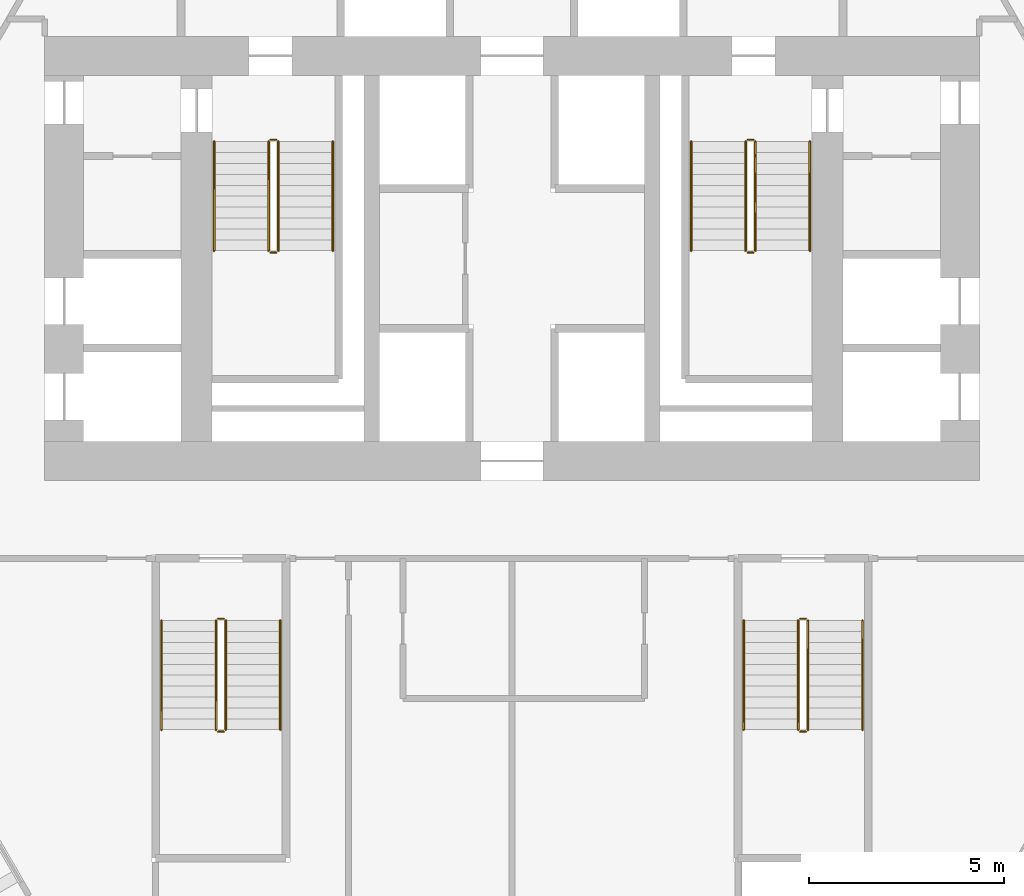
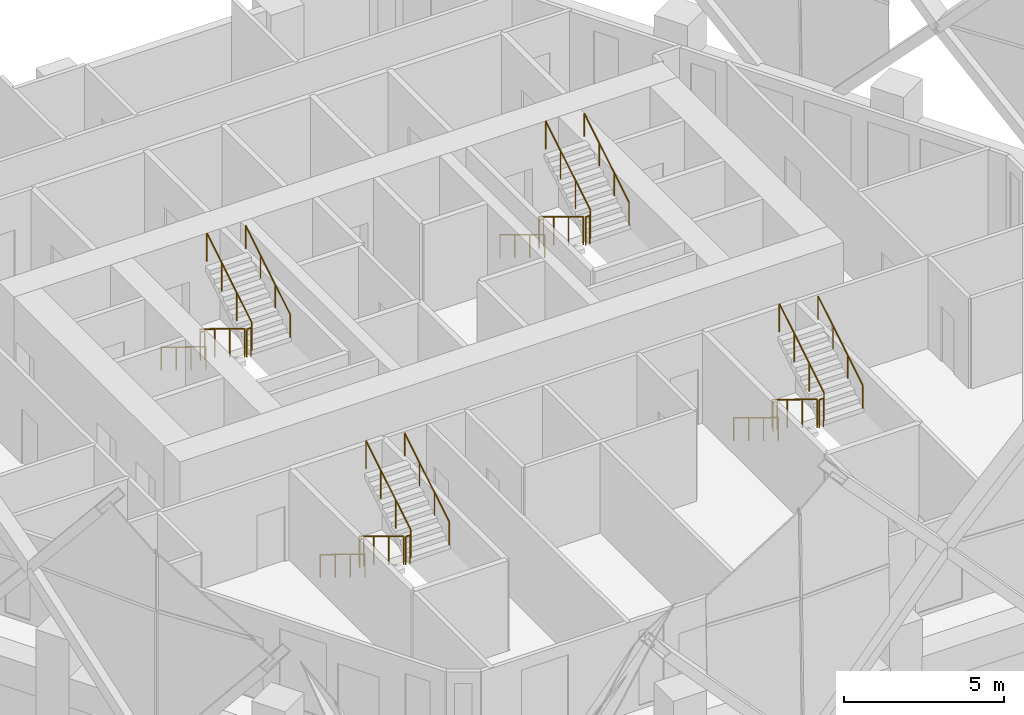
# One storey, part 21 of 21: 24 railings.
"""IFC4 building model written with IfcOpenShell, lengths in metres."""

from ifc_helpers import new_model, si_unit, direction, frame, origin, origin_2d, place, context, subcontext, project, spatial, circle, extrude, material, type_object, element, save


model = new_model("IFC4")

# Units and contexts
model_context = context("Model", 3, precision=1e-05, world=origin(), true_north=direction((0.0, 1.0)))
body_context = subcontext(model_context, "Body", "Model", "MODEL_VIEW")
ifc_project = project(units=[si_unit("LENGTHUNIT", "METRE"), si_unit("AREAUNIT", "SQUARE_METRE"), si_unit("VOLUMEUNIT", "CUBIC_METRE"), si_unit("PLANEANGLEUNIT", "RADIAN"), si_unit("MASSUNIT", "GRAM", prefix="KILO")], contexts=[model_context])

# Site, building, storey
site_placement = place(None, origin())
site = spatial("IfcSite", under=ifc_project, at=site_placement, CompositionType="ELEMENT")
building_placement = place(site_placement, origin())
building = spatial("IfcBuilding", under=site, at=building_placement, Name="Ostrander Bayou Hotel Tower", CompositionType="ELEMENT")
storey_placement = place(building_placement, frame((0.0, 0.0, 116.0)))
storey = spatial("IfcBuildingStorey", under=building, at=storey_placement, Name="L28", CompositionType="ELEMENT", Elevation=116.0)

# Railings
ifc_material_1 = material(Name="Steel ASTM A500 Gr C", Category="steel")
railing_type_1 = type_object("IfcRailingType", Name="GR1 stair guard 1100 mm steel", PredefinedType="GUARDRAIL", material=ifc_material_1)
railing_1_placement = place(storey_placement, frame((-6.25, 7.0, 0.17041015625)))
element("IfcRailing", 1, at=railing_1_placement, inside=storey, type_object=railing_type_1, Name="L28 STA stair guard 1", PredefinedType="GUARDRAIL", context=body_context, shape_type="SweptSolid", body=[
    extrude(circle(Radius=0.02392578125, at=origin_2d()), frame((0.0, 0.0, 1.076171875), z_axis=(0.0, -0.854169791009, 0.51999420009), x_axis=(1.0, 0.0, 0.0)), (0.0, 0.0, 1.0), 3.278076171875),
    extrude(circle(Radius=0.02099609375, at=origin_2d()), origin(), (0.0, 0.0, 1.0), 1.052001953125),
    extrude(circle(Radius=0.02099609375, at=origin_2d()), frame((0.0, -0.933349609375, 0.568115234375)), (0.0, 0.0, 1.0), 1.052001953125),
    extrude(circle(Radius=0.02099609375, at=origin_2d()), frame((0.0, -1.86669921875, 1.136474609375)), (0.0, 0.0, 1.0), 1.052001953125),
    extrude(circle(Radius=0.02099609375, at=origin_2d()), frame((0.0, -2.800048828125, 1.70458984375)), (0.0, 0.0, 1.0), 1.052001953125),
])
railing_2_placement = place(storey_placement, frame((-6.199951171875, 4.14990234375, 1.875)))
element("IfcRailing", 2, at=railing_2_placement, inside=storey, type_object=railing_type_1, Name="L28 STA stair guard 2", PredefinedType="GUARDRAIL", context=body_context, shape_type="SweptSolid", body=[
    extrude(circle(Radius=0.02392578125, at=origin_2d()), frame((0.0, 0.0, 1.076171875), z_axis=(1.0, 0.0, 0.0), x_axis=(0.0, 1.0, 0.0)), (0.0, 0.0, 1.0), 0.14990234375),
    extrude(circle(Radius=0.02099609375, at=origin_2d()), origin(), (0.0, 0.0, 1.0), 1.052001953125),
    extrude(circle(Radius=0.02099609375, at=origin_2d()), frame((0.14990234375, 0.0, 0.0)), (0.0, 0.0, 1.0), 1.052001953125),
])
railing_3_placement = place(storey_placement, frame((-6.0, 4.199951171875, 2.04541015625)))
element("IfcRailing", 3, at=railing_3_placement, inside=storey, type_object=railing_type_1, Name="L28 STA stair guard 3", PredefinedType="GUARDRAIL", context=body_context, shape_type="SweptSolid", body=[
    extrude(circle(Radius=0.02392578125, at=origin_2d()), frame((0.0, 0.0, 1.076171875), z_axis=(0.0, 0.854169791009, 0.51999420009), x_axis=(-1.0, 0.0, 0.0)), (0.0, 0.0, 1.0), 3.278076171875),
    extrude(circle(Radius=0.02099609375, at=origin_2d()), origin(), (0.0, 0.0, 1.0), 1.052001953125),
    extrude(circle(Radius=0.02099609375, at=origin_2d()), frame((0.0, 0.933349609375, 0.568115234375)), (0.0, 0.0, 1.0), 1.052001953125),
    extrude(circle(Radius=0.02099609375, at=origin_2d()), frame((0.0, 1.86669921875, 1.136474609375)), (0.0, 0.0, 1.0), 1.052001953125),
    extrude(circle(Radius=0.02099609375, at=origin_2d()), frame((0.0, 2.800048828125, 1.70458984375)), (0.0, 0.0, 1.0), 1.052001953125),
])
railing_4_placement = place(storey_placement, frame((-6.199951171875, 7.050048828125, 0.0)))
element("IfcRailing", 4, at=railing_4_placement, inside=storey, type_object=railing_type_1, Name="L28 STA stair guard 4", PredefinedType="GUARDRAIL", context=body_context, shape_type="SweptSolid", body=[
    extrude(circle(Radius=0.02392578125, at=origin_2d()), frame((0.0, 0.0, 1.076171875), z_axis=(1.0, 0.0, 0.0), x_axis=(0.0, 1.0, 0.0)), (0.0, 0.0, 1.0), 0.14990234375),
    extrude(circle(Radius=0.02099609375, at=origin_2d()), origin(), (0.0, 0.0, 1.0), 1.052001953125),
    extrude(circle(Radius=0.02099609375, at=origin_2d()), frame((0.14990234375, 0.0, 0.0)), (0.0, 0.0, 1.0), 1.052001953125),
])
railing_5_placement = place(storey_placement, frame((6.0, 7.0, 0.17041015625)))
element("IfcRailing", 5, at=railing_5_placement, inside=storey, type_object=railing_type_1, Name="L28 STB stair guard 1", PredefinedType="GUARDRAIL", context=body_context, shape_type="SweptSolid", body=[
    extrude(circle(Radius=0.02392578125, at=origin_2d()), frame((0.0, 0.0, 1.076171875), z_axis=(0.0, -0.854169791009, 0.51999420009), x_axis=(1.0, 0.0, 0.0)), (0.0, 0.0, 1.0), 3.278076171875),
    extrude(circle(Radius=0.02099609375, at=origin_2d()), origin(), (0.0, 0.0, 1.0), 1.052001953125),
    extrude(circle(Radius=0.02099609375, at=origin_2d()), frame((0.0, -0.933349609375, 0.568115234375)), (0.0, 0.0, 1.0), 1.052001953125),
    extrude(circle(Radius=0.02099609375, at=origin_2d()), frame((0.0, -1.86669921875, 1.136474609375)), (0.0, 0.0, 1.0), 1.052001953125),
    extrude(circle(Radius=0.02099609375, at=origin_2d()), frame((0.0, -2.800048828125, 1.70458984375)), (0.0, 0.0, 1.0), 1.052001953125),
])
railing_6_placement = place(storey_placement, frame((6.050048828125, 4.14990234375, 1.875)))
element("IfcRailing", 6, at=railing_6_placement, inside=storey, type_object=railing_type_1, Name="L28 STB stair guard 2", PredefinedType="GUARDRAIL", context=body_context, shape_type="SweptSolid", body=[
    extrude(circle(Radius=0.02392578125, at=origin_2d()), frame((0.0, 0.0, 1.076171875), z_axis=(1.0, 0.0, 0.0), x_axis=(0.0, 1.0, 0.0)), (0.0, 0.0, 1.0), 0.14990234375),
    extrude(circle(Radius=0.02099609375, at=origin_2d()), origin(), (0.0, 0.0, 1.0), 1.052001953125),
    extrude(circle(Radius=0.02099609375, at=origin_2d()), frame((0.14990234375, 0.0, 0.0)), (0.0, 0.0, 1.0), 1.052001953125),
])
railing_7_placement = place(storey_placement, frame((6.25, 4.199951171875, 2.04541015625)))
element("IfcRailing", 7, at=railing_7_placement, inside=storey, type_object=railing_type_1, Name="L28 STB stair guard 3", PredefinedType="GUARDRAIL", context=body_context, shape_type="SweptSolid", body=[
    extrude(circle(Radius=0.02392578125, at=origin_2d()), frame((0.0, 0.0, 1.076171875), z_axis=(0.0, 0.854169791009, 0.51999420009), x_axis=(-1.0, 0.0, 0.0)), (0.0, 0.0, 1.0), 3.278076171875),
    extrude(circle(Radius=0.02099609375, at=origin_2d()), origin(), (0.0, 0.0, 1.0), 1.052001953125),
    extrude(circle(Radius=0.02099609375, at=origin_2d()), frame((0.0, 0.933349609375, 0.568115234375)), (0.0, 0.0, 1.0), 1.052001953125),
    extrude(circle(Radius=0.02099609375, at=origin_2d()), frame((0.0, 1.86669921875, 1.136474609375)), (0.0, 0.0, 1.0), 1.052001953125),
    extrude(circle(Radius=0.02099609375, at=origin_2d()), frame((0.0, 2.800048828125, 1.70458984375)), (0.0, 0.0, 1.0), 1.052001953125),
])
railing_8_placement = place(storey_placement, frame((6.050048828125, 7.050048828125, 0.0)))
element("IfcRailing", 8, at=railing_8_placement, inside=storey, type_object=railing_type_1, Name="L28 STB stair guard 4", PredefinedType="GUARDRAIL", context=body_context, shape_type="SweptSolid", body=[
    extrude(circle(Radius=0.02392578125, at=origin_2d()), frame((0.0, 0.0, 1.076171875), z_axis=(1.0, 0.0, 0.0), x_axis=(0.0, 1.0, 0.0)), (0.0, 0.0, 1.0), 0.14990234375),
    extrude(circle(Radius=0.02099609375, at=origin_2d()), origin(), (0.0, 0.0, 1.0), 1.052001953125),
    extrude(circle(Radius=0.02099609375, at=origin_2d()), frame((0.14990234375, 0.0, 0.0)), (0.0, 0.0, 1.0), 1.052001953125),
])
railing_9_placement = place(storey_placement, frame((7.35009765625, -5.300048828125, 0.17041015625)))
element("IfcRailing", 9, at=railing_9_placement, inside=storey, type_object=railing_type_1, Name="L28 STC stair guard 1", PredefinedType="GUARDRAIL", context=body_context, shape_type="SweptSolid", body=[
    extrude(circle(Radius=0.02392578125, at=origin_2d()), frame((0.0, 0.0, 1.076171875), z_axis=(0.0, -0.854169791009, 0.51999420009), x_axis=(1.0, 0.0, 0.0)), (0.0, 0.0, 1.0), 3.278076171875),
    extrude(circle(Radius=0.02099609375, at=origin_2d()), origin(), (0.0, 0.0, 1.0), 1.052001953125),
    extrude(circle(Radius=0.02099609375, at=origin_2d()), frame((0.0, -0.933349609375, 0.568115234375)), (0.0, 0.0, 1.0), 1.052001953125),
    extrude(circle(Radius=0.02099609375, at=origin_2d()), frame((0.0, -1.86669921875, 1.136474609375)), (0.0, 0.0, 1.0), 1.052001953125),
    extrude(circle(Radius=0.02099609375, at=origin_2d()), frame((0.0, -2.800048828125, 1.70458984375)), (0.0, 0.0, 1.0), 1.052001953125),
])
railing_10_placement = place(storey_placement, frame((7.39990234375, -8.14990234375, 1.875)))
element("IfcRailing", 10, at=railing_10_placement, inside=storey, type_object=railing_type_1, Name="L28 STC stair guard 2", PredefinedType="GUARDRAIL", context=body_context, shape_type="SweptSolid", body=[
    extrude(circle(Radius=0.02392578125, at=origin_2d()), frame((0.0, 0.0, 1.076171875), z_axis=(1.0, 0.0, 0.0), x_axis=(0.0, 1.0, 0.0)), (0.0, 0.0, 1.0), 0.150146484375),
    extrude(circle(Radius=0.02099609375, at=origin_2d()), origin(), (0.0, 0.0, 1.0), 1.052001953125),
    extrude(circle(Radius=0.02099609375, at=origin_2d()), frame((0.150146484375, 0.0, 0.0)), (0.0, 0.0, 1.0), 1.052001953125),
])
railing_11_placement = place(storey_placement, frame((7.60009765625, -8.10009765625, 2.04541015625)))
element("IfcRailing", 11, at=railing_11_placement, inside=storey, type_object=railing_type_1, Name="L28 STC stair guard 3", PredefinedType="GUARDRAIL", context=body_context, shape_type="SweptSolid", body=[
    extrude(circle(Radius=0.02392578125, at=origin_2d()), frame((0.0, 0.0, 1.076171875), z_axis=(0.0, 0.854169791009, 0.51999420009), x_axis=(-1.0, 0.0, 0.0)), (0.0, 0.0, 1.0), 3.278076171875),
    extrude(circle(Radius=0.02099609375, at=origin_2d()), origin(), (0.0, 0.0, 1.0), 1.052001953125),
    extrude(circle(Radius=0.02099609375, at=origin_2d()), frame((0.0, 0.933349609375, 0.568115234375)), (0.0, 0.0, 1.0), 1.052001953125),
    extrude(circle(Radius=0.02099609375, at=origin_2d()), frame((0.0, 1.86669921875, 1.136474609375)), (0.0, 0.0, 1.0), 1.052001953125),
    extrude(circle(Radius=0.02099609375, at=origin_2d()), frame((0.0, 2.800048828125, 1.70458984375)), (0.0, 0.0, 1.0), 1.052001953125),
])
railing_12_placement = place(storey_placement, frame((7.39990234375, -5.25, 0.0)))
element("IfcRailing", 12, at=railing_12_placement, inside=storey, type_object=railing_type_1, Name="L28 STC stair guard 4", PredefinedType="GUARDRAIL", context=body_context, shape_type="SweptSolid", body=[
    extrude(circle(Radius=0.02392578125, at=origin_2d()), frame((0.0, 0.0, 1.076171875), z_axis=(1.0, 0.0, 0.0), x_axis=(0.0, 1.0, 0.0)), (0.0, 0.0, 1.0), 0.150146484375),
    extrude(circle(Radius=0.02099609375, at=origin_2d()), origin(), (0.0, 0.0, 1.0), 1.052001953125),
    extrude(circle(Radius=0.02099609375, at=origin_2d()), frame((0.150146484375, 0.0, 0.0)), (0.0, 0.0, 1.0), 1.052001953125),
])
railing_13_placement = place(storey_placement, frame((-7.60009765625, -5.300048828125, 0.17041015625)))
element("IfcRailing", 13, at=railing_13_placement, inside=storey, type_object=railing_type_1, Name="L28 STD stair guard 1", PredefinedType="GUARDRAIL", context=body_context, shape_type="SweptSolid", body=[
    extrude(circle(Radius=0.02392578125, at=origin_2d()), frame((0.0, 0.0, 1.076171875), z_axis=(0.0, -0.854169791009, 0.51999420009), x_axis=(1.0, 0.0, 0.0)), (0.0, 0.0, 1.0), 3.278076171875),
    extrude(circle(Radius=0.02099609375, at=origin_2d()), origin(), (0.0, 0.0, 1.0), 1.052001953125),
    extrude(circle(Radius=0.02099609375, at=origin_2d()), frame((0.0, -0.933349609375, 0.568115234375)), (0.0, 0.0, 1.0), 1.052001953125),
    extrude(circle(Radius=0.02099609375, at=origin_2d()), frame((0.0, -1.86669921875, 1.136474609375)), (0.0, 0.0, 1.0), 1.052001953125),
    extrude(circle(Radius=0.02099609375, at=origin_2d()), frame((0.0, -2.800048828125, 1.70458984375)), (0.0, 0.0, 1.0), 1.052001953125),
])
railing_14_placement = place(storey_placement, frame((-7.550048828125, -8.14990234375, 1.875)))
element("IfcRailing", 14, at=railing_14_placement, inside=storey, type_object=railing_type_1, Name="L28 STD stair guard 2", PredefinedType="GUARDRAIL", context=body_context, shape_type="SweptSolid", body=[
    extrude(circle(Radius=0.02392578125, at=origin_2d()), frame((0.0, 0.0, 1.076171875), z_axis=(1.0, 0.0, 0.0), x_axis=(0.0, 1.0, 0.0)), (0.0, 0.0, 1.0), 0.150146484375),
    extrude(circle(Radius=0.02099609375, at=origin_2d()), origin(), (0.0, 0.0, 1.0), 1.052001953125),
    extrude(circle(Radius=0.02099609375, at=origin_2d()), frame((0.150146484375, 0.0, 0.0)), (0.0, 0.0, 1.0), 1.052001953125),
])
railing_15_placement = place(storey_placement, frame((-7.35009765625, -8.10009765625, 2.04541015625)))
element("IfcRailing", 15, at=railing_15_placement, inside=storey, type_object=railing_type_1, Name="L28 STD stair guard 3", PredefinedType="GUARDRAIL", context=body_context, shape_type="SweptSolid", body=[
    extrude(circle(Radius=0.02392578125, at=origin_2d()), frame((0.0, 0.0, 1.076171875), z_axis=(0.0, 0.854169791009, 0.51999420009), x_axis=(-1.0, 0.0, 0.0)), (0.0, 0.0, 1.0), 3.278076171875),
    extrude(circle(Radius=0.02099609375, at=origin_2d()), origin(), (0.0, 0.0, 1.0), 1.052001953125),
    extrude(circle(Radius=0.02099609375, at=origin_2d()), frame((0.0, 0.933349609375, 0.568115234375)), (0.0, 0.0, 1.0), 1.052001953125),
    extrude(circle(Radius=0.02099609375, at=origin_2d()), frame((0.0, 1.86669921875, 1.136474609375)), (0.0, 0.0, 1.0), 1.052001953125),
    extrude(circle(Radius=0.02099609375, at=origin_2d()), frame((0.0, 2.800048828125, 1.70458984375)), (0.0, 0.0, 1.0), 1.052001953125),
])
railing_16_placement = place(storey_placement, frame((-7.550048828125, -5.25, 0.0)))
element("IfcRailing", 16, at=railing_16_placement, inside=storey, type_object=railing_type_1, Name="L28 STD stair guard 4", PredefinedType="GUARDRAIL", context=body_context, shape_type="SweptSolid", body=[
    extrude(circle(Radius=0.02392578125, at=origin_2d()), frame((0.0, 0.0, 1.076171875), z_axis=(1.0, 0.0, 0.0), x_axis=(0.0, 1.0, 0.0)), (0.0, 0.0, 1.0), 0.150146484375),
    extrude(circle(Radius=0.02099609375, at=origin_2d()), origin(), (0.0, 0.0, 1.0), 1.052001953125),
    extrude(circle(Radius=0.02099609375, at=origin_2d()), frame((0.150146484375, 0.0, 0.0)), (0.0, 0.0, 1.0), 1.052001953125),
])
ifc_material_2 = material(Name="Steel ASTM A500 Gr C", Category="steel")
railing_type_2 = type_object("IfcRailingType", Name="HR1 stair handrail 900 mm steel", PredefinedType="HANDRAIL", material=ifc_material_2)
railing_17_placement = place(storey_placement, frame((-7.64990234375, 7.0, 0.17041015625)))
element("IfcRailing", 17, at=railing_17_placement, inside=storey, type_object=railing_type_2, Name="L28 STA stair handrail 1", PredefinedType="HANDRAIL", context=body_context, shape_type="SweptSolid", body=[
    extrude(circle(Radius=0.02392578125, at=origin_2d()), frame((0.0, 0.0, 0.8759765625), z_axis=(0.0, -0.854169791009, 0.51999420009), x_axis=(1.0, 0.0, 0.0)), (0.0, 0.0, 1.0), 3.278076171875),
    extrude(circle(Radius=0.02099609375, at=origin_2d()), origin(), (0.0, 0.0, 1.0), 0.851806640625),
    extrude(circle(Radius=0.02099609375, at=origin_2d()), frame((0.0, -0.933349609375, 0.568115234375)), (0.0, 0.0, 1.0), 0.851806640625),
    extrude(circle(Radius=0.02099609375, at=origin_2d()), frame((0.0, -1.86669921875, 1.136474609375)), (0.0, 0.0, 1.0), 0.851806640625),
    extrude(circle(Radius=0.02099609375, at=origin_2d()), frame((0.0, -2.800048828125, 1.70458984375)), (0.0, 0.0, 1.0), 0.851806640625),
])
railing_18_placement = place(storey_placement, frame((-4.60009765625, 4.199951171875, 2.04541015625)))
element("IfcRailing", 18, at=railing_18_placement, inside=storey, type_object=railing_type_2, Name="L28 STA stair handrail 2", PredefinedType="HANDRAIL", context=body_context, shape_type="SweptSolid", body=[
    extrude(circle(Radius=0.02392578125, at=origin_2d()), frame((0.0, 0.0, 0.8759765625), z_axis=(0.0, 0.854169791009, 0.51999420009), x_axis=(-1.0, 0.0, 0.0)), (0.0, 0.0, 1.0), 3.278076171875),
    extrude(circle(Radius=0.02099609375, at=origin_2d()), origin(), (0.0, 0.0, 1.0), 0.851806640625),
    extrude(circle(Radius=0.02099609375, at=origin_2d()), frame((0.0, 0.933349609375, 0.568115234375)), (0.0, 0.0, 1.0), 0.851806640625),
    extrude(circle(Radius=0.02099609375, at=origin_2d()), frame((0.0, 1.86669921875, 1.136474609375)), (0.0, 0.0, 1.0), 0.851806640625),
    extrude(circle(Radius=0.02099609375, at=origin_2d()), frame((0.0, 2.800048828125, 1.70458984375)), (0.0, 0.0, 1.0), 0.851806640625),
])
railing_19_placement = place(storey_placement, frame((4.60009765625, 7.0, 0.17041015625)))
element("IfcRailing", 19, at=railing_19_placement, inside=storey, type_object=railing_type_2, Name="L28 STB stair handrail 1", PredefinedType="HANDRAIL", context=body_context, shape_type="SweptSolid", body=[
    extrude(circle(Radius=0.02392578125, at=origin_2d()), frame((0.0, 0.0, 0.8759765625), z_axis=(0.0, -0.854169791009, 0.51999420009), x_axis=(1.0, 0.0, 0.0)), (0.0, 0.0, 1.0), 3.278076171875),
    extrude(circle(Radius=0.02099609375, at=origin_2d()), origin(), (0.0, 0.0, 1.0), 0.851806640625),
    extrude(circle(Radius=0.02099609375, at=origin_2d()), frame((0.0, -0.933349609375, 0.568115234375)), (0.0, 0.0, 1.0), 0.851806640625),
    extrude(circle(Radius=0.02099609375, at=origin_2d()), frame((0.0, -1.86669921875, 1.136474609375)), (0.0, 0.0, 1.0), 0.851806640625),
    extrude(circle(Radius=0.02099609375, at=origin_2d()), frame((0.0, -2.800048828125, 1.70458984375)), (0.0, 0.0, 1.0), 0.851806640625),
])
railing_20_placement = place(storey_placement, frame((7.64990234375, 4.199951171875, 2.04541015625)))
element("IfcRailing", 20, at=railing_20_placement, inside=storey, type_object=railing_type_2, Name="L28 STB stair handrail 2", PredefinedType="HANDRAIL", context=body_context, shape_type="SweptSolid", body=[
    extrude(circle(Radius=0.02392578125, at=origin_2d()), frame((0.0, 0.0, 0.8759765625), z_axis=(0.0, 0.854169791009, 0.51999420009), x_axis=(-1.0, 0.0, 0.0)), (0.0, 0.0, 1.0), 3.278076171875),
    extrude(circle(Radius=0.02099609375, at=origin_2d()), origin(), (0.0, 0.0, 1.0), 0.851806640625),
    extrude(circle(Radius=0.02099609375, at=origin_2d()), frame((0.0, 0.933349609375, 0.568115234375)), (0.0, 0.0, 1.0), 0.851806640625),
    extrude(circle(Radius=0.02099609375, at=origin_2d()), frame((0.0, 1.86669921875, 1.136474609375)), (0.0, 0.0, 1.0), 0.851806640625),
    extrude(circle(Radius=0.02099609375, at=origin_2d()), frame((0.0, 2.800048828125, 1.70458984375)), (0.0, 0.0, 1.0), 0.851806640625),
])
railing_21_placement = place(storey_placement, frame((5.949951171875, -5.300048828125, 0.17041015625)))
element("IfcRailing", 21, at=railing_21_placement, inside=storey, type_object=railing_type_2, Name="L28 STC stair handrail 1", PredefinedType="HANDRAIL", context=body_context, shape_type="SweptSolid", body=[
    extrude(circle(Radius=0.02392578125, at=origin_2d()), frame((0.0, 0.0, 0.8759765625), z_axis=(0.0, -0.854169791009, 0.51999420009), x_axis=(1.0, 0.0, 0.0)), (0.0, 0.0, 1.0), 3.278076171875),
    extrude(circle(Radius=0.02099609375, at=origin_2d()), origin(), (0.0, 0.0, 1.0), 0.851806640625),
    extrude(circle(Radius=0.02099609375, at=origin_2d()), frame((0.0, -0.933349609375, 0.568115234375)), (0.0, 0.0, 1.0), 0.851806640625),
    extrude(circle(Radius=0.02099609375, at=origin_2d()), frame((0.0, -1.86669921875, 1.136474609375)), (0.0, 0.0, 1.0), 0.851806640625),
    extrude(circle(Radius=0.02099609375, at=origin_2d()), frame((0.0, -2.800048828125, 1.70458984375)), (0.0, 0.0, 1.0), 0.851806640625),
])
railing_22_placement = place(storey_placement, frame((9.0, -8.10009765625, 2.04541015625)))
element("IfcRailing", 22, at=railing_22_placement, inside=storey, type_object=railing_type_2, Name="L28 STC stair handrail 2", PredefinedType="HANDRAIL", context=body_context, shape_type="SweptSolid", body=[
    extrude(circle(Radius=0.02392578125, at=origin_2d()), frame((0.0, 0.0, 0.8759765625), z_axis=(0.0, 0.854169791009, 0.51999420009), x_axis=(-1.0, 0.0, 0.0)), (0.0, 0.0, 1.0), 3.278076171875),
    extrude(circle(Radius=0.02099609375, at=origin_2d()), origin(), (0.0, 0.0, 1.0), 0.851806640625),
    extrude(circle(Radius=0.02099609375, at=origin_2d()), frame((0.0, 0.933349609375, 0.568115234375)), (0.0, 0.0, 1.0), 0.851806640625),
    extrude(circle(Radius=0.02099609375, at=origin_2d()), frame((0.0, 1.86669921875, 1.136474609375)), (0.0, 0.0, 1.0), 0.851806640625),
    extrude(circle(Radius=0.02099609375, at=origin_2d()), frame((0.0, 2.800048828125, 1.70458984375)), (0.0, 0.0, 1.0), 0.851806640625),
])
railing_23_placement = place(storey_placement, frame((-9.0, -5.300048828125, 0.17041015625)))
element("IfcRailing", 23, at=railing_23_placement, inside=storey, type_object=railing_type_2, Name="L28 STD stair handrail 1", PredefinedType="HANDRAIL", context=body_context, shape_type="SweptSolid", body=[
    extrude(circle(Radius=0.02392578125, at=origin_2d()), frame((0.0, 0.0, 0.8759765625), z_axis=(0.0, -0.854169791009, 0.51999420009), x_axis=(1.0, 0.0, 0.0)), (0.0, 0.0, 1.0), 3.278076171875),
    extrude(circle(Radius=0.02099609375, at=origin_2d()), origin(), (0.0, 0.0, 1.0), 0.851806640625),
    extrude(circle(Radius=0.02099609375, at=origin_2d()), frame((0.0, -0.933349609375, 0.568115234375)), (0.0, 0.0, 1.0), 0.851806640625),
    extrude(circle(Radius=0.02099609375, at=origin_2d()), frame((0.0, -1.86669921875, 1.136474609375)), (0.0, 0.0, 1.0), 0.851806640625),
    extrude(circle(Radius=0.02099609375, at=origin_2d()), frame((0.0, -2.800048828125, 1.70458984375)), (0.0, 0.0, 1.0), 0.851806640625),
])
railing_24_placement = place(storey_placement, frame((-5.949951171875, -8.10009765625, 2.04541015625)))
element("IfcRailing", 24, at=railing_24_placement, inside=storey, type_object=railing_type_2, Name="L28 STD stair handrail 2", PredefinedType="HANDRAIL", context=body_context, shape_type="SweptSolid", body=[
    extrude(circle(Radius=0.02392578125, at=origin_2d()), frame((0.0, 0.0, 0.8759765625), z_axis=(0.0, 0.854169791009, 0.51999420009), x_axis=(-1.0, 0.0, 0.0)), (0.0, 0.0, 1.0), 3.278076171875),
    extrude(circle(Radius=0.02099609375, at=origin_2d()), origin(), (0.0, 0.0, 1.0), 0.851806640625),
    extrude(circle(Radius=0.02099609375, at=origin_2d()), frame((0.0, 0.933349609375, 0.568115234375)), (0.0, 0.0, 1.0), 0.851806640625),
    extrude(circle(Radius=0.02099609375, at=origin_2d()), frame((0.0, 1.86669921875, 1.136474609375)), (0.0, 0.0, 1.0), 0.851806640625),
    extrude(circle(Radius=0.02099609375, at=origin_2d()), frame((0.0, 2.800048828125, 1.70458984375)), (0.0, 0.0, 1.0), 0.851806640625),
])

save(model, "model.ifc")
